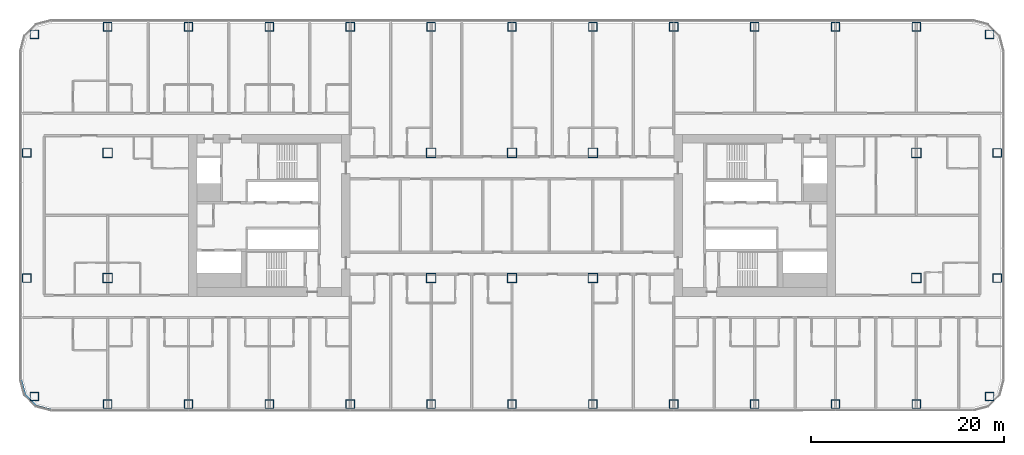
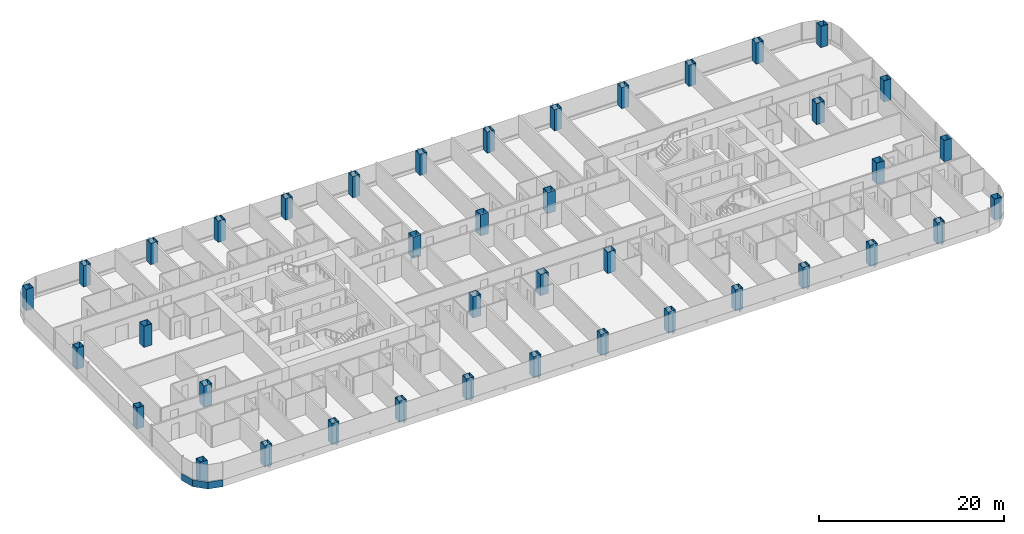
# One storey, part 1 of 29: 40 columns, 1 member, 1 element without a shape of its own.
"""IFC4 building model written with IfcOpenShell, lengths in metres."""

from ifc_helpers import new_model, si_unit, direction, frame, origin, origin_2d, place, context, subcontext, project, spatial, polyline, rectangle, hollow_rectangle, outline, extrude, material, layer, layer_set, material_profile, profile_set, type_object, element, aggregate, save


model = new_model("IFC4")

# Units and contexts
model_context = context("Model", 3, precision=1e-05, world=origin(), true_north=direction((0.0, 1.0)))
body_context = subcontext(model_context, "Body", "Model", "MODEL_VIEW")
ifc_project = project(units=[si_unit("LENGTHUNIT", "METRE"), si_unit("AREAUNIT", "SQUARE_METRE"), si_unit("VOLUMEUNIT", "CUBIC_METRE"), si_unit("PLANEANGLEUNIT", "RADIAN"), si_unit("MASSUNIT", "GRAM", prefix="KILO")], contexts=[model_context])

# Site, building, storey
site_placement = place(None, origin())
site = spatial("IfcSite", under=ifc_project, at=site_placement, CompositionType="ELEMENT")
building_placement = place(site_placement, origin())
building = spatial("IfcBuilding", under=site, at=building_placement, Name="Hakoniwa Tower and Hamabe Station Hall", CompositionType="ELEMENT")
storey_placement = place(building_placement, frame((0.0, 0.0, 23.0)))
storey = spatial("IfcBuildingStorey", under=building, at=storey_placement, Name="L05", CompositionType="ELEMENT", Elevation=23.0)

# Columns
ifc_material_1 = material(Name="Steel SN490C", Category="steel")
ifc_material_profile_1 = material_profile(ifc_material_1, hollow_rectangle(XDim=1.0, YDim=1.0, WallThickness=0.0400390625, at=origin_2d()), Name="BX-1000x1000x40")
ifc_profile_set_1 = profile_set([ifc_material_profile_1], Name="Steel SN490C")
column_type_1 = type_object("IfcColumnType", Name="COLUMN BX-1000x1000x40", PredefinedType="COLUMN", material=ifc_profile_set_1)
for number, where, z_axis, x_axis, name in (
    (1, (-42.0, -6.5, 0.0), (0.0, 0.0, 1.0), (1.0, 0.0, 0.0), "Column B1-2-C1"),
    (2, (-42.0, 6.5, 0.0), (0.0, 0.0, 1.0), (1.0, 0.0, 0.0), "Column B1-2-E1"),
    (3, (-8.39990234375, -6.5, 0.0), (0.0, 0.0, 1.0), (1.0, 0.0, 0.0), "Column B1-6-C1"),
    (4, (-8.39990234375, 6.5, 0.0), (0.0, 0.0, 1.0), (1.0, 0.0, 0.0), "Column B1-6-E1"),
    (5, (0.0, -6.5, 0.0), (0.0, 0.0, 1.0), (1.0, 0.0, 0.0), "Column B1-7-C1"),
    (6, (0.0, 6.5, 0.0), (0.0, 0.0, 1.0), (1.0, 0.0, 0.0), "Column B1-7-E1"),
    (7, (8.39990234375, -6.5, 0.0), (0.0, 0.0, 1.0), (1.0, 0.0, 0.0), "Column B1-8-C1"),
    (8, (8.39990234375, 6.5, 0.0), (0.0, 0.0, 1.0), (1.0, 0.0, 0.0), "Column B1-8-E1"),
    (9, (42.0, -6.5, 0.0), (0.0, 0.0, 1.0), (1.0, 0.0, 0.0), "Column B1-12-C1"),
    (10, (42.0, 6.5, 0.0), (0.0, 0.0, 1.0), (1.0, 0.0, 0.0), "Column B1-12-E1"),
):
    element("IfcColumn", number, at=place(storey_placement, frame(where, z_axis=z_axis, x_axis=x_axis)), inside=storey, type_object=column_type_1, Name=name, PredefinedType="COLUMN", context=body_context, shape_type="SweptSolid", body=[
        extrude(hollow_rectangle(XDim=1.0, YDim=1.0, WallThickness=0.0400390625, at=origin_2d()), origin(), (0.0, 0.0, 1.0), 2.800048828125),
    ])
ifc_material_2 = material(Name="Steel SN490C", Category="steel")
ifc_material_profile_2 = material_profile(ifc_material_2, hollow_rectangle(XDim=0.89990234375, YDim=0.89990234375, WallThickness=0.035888671875, at=origin_2d()), Name="BX-900x900x36")
ifc_profile_set_2 = profile_set([ifc_material_profile_2], Name="Steel SN490C")
column_type_2 = type_object("IfcColumnType", Name="COLUMN BX-900x900x36", PredefinedType="COLUMN", material=ifc_profile_set_2)
for number, where, z_axis, x_axis, name in (
    (11, (-49.60302734375, -18.802978515625, 0.0), (0.0, 0.0, 1.0), (1.0, 0.0, 0.0), "Column B1-1-A1"),
    (12, (-50.39990234375, -6.5, 0.0), (0.0, 0.0, 1.0), (1.0, 0.0, 0.0), "Column B1-1-C1"),
    (13, (-50.39990234375, 6.5, 0.0), (0.0, 0.0, 1.0), (1.0, 0.0, 0.0), "Column B1-1-E1"),
    (14, (-49.60302734375, 18.802978515625, 0.0), (0.0, 0.0, 1.0), (1.0, 0.0, 0.0), "Column B1-1-G1"),
    (15, (-42.0, -19.60009765625, 0.0), (0.0, 0.0, 1.0), (1.0, 0.0, 0.0), "Column B1-2-A1"),
    (16, (-42.0, 19.60009765625, 0.0), (0.0, 0.0, 1.0), (1.0, 0.0, 0.0), "Column B1-2-G1"),
    (17, (-33.60009765625, -19.60009765625, 0.0), (0.0, 0.0, 1.0), (1.0, 0.0, 0.0), "Column B1-3-A1"),
    (18, (-33.60009765625, 19.60009765625, 0.0), (0.0, 0.0, 1.0), (1.0, 0.0, 0.0), "Column B1-3-G1"),
    (19, (-25.199951171875, -19.60009765625, 0.0), (0.0, 0.0, 1.0), (1.0, 0.0, 0.0), "Column B1-4-A1"),
    (20, (-25.199951171875, 19.60009765625, 0.0), (0.0, 0.0, 1.0), (1.0, 0.0, 0.0), "Column B1-4-G1"),
    (21, (-16.800048828125, -19.60009765625, 0.0), (0.0, 0.0, 1.0), (1.0, 0.0, 0.0), "Column B1-5-A1"),
    (22, (-16.800048828125, 19.60009765625, 0.0), (0.0, 0.0, 1.0), (1.0, 0.0, 0.0), "Column B1-5-G1"),
    (23, (-8.39990234375, -19.60009765625, 0.0), (0.0, 0.0, 1.0), (1.0, 0.0, 0.0), "Column B1-6-A1"),
    (24, (-8.39990234375, 19.60009765625, 0.0), (0.0, 0.0, 1.0), (1.0, 0.0, 0.0), "Column B1-6-G1"),
    (25, (0.0, -19.60009765625, 0.0), (0.0, 0.0, 1.0), (1.0, 0.0, 0.0), "Column B1-7-A1"),
    (26, (0.0, 19.60009765625, 0.0), (0.0, 0.0, 1.0), (1.0, 0.0, 0.0), "Column B1-7-G1"),
    (27, (8.39990234375, -19.60009765625, 0.0), (0.0, 0.0, 1.0), (1.0, 0.0, 0.0), "Column B1-8-A1"),
    (28, (8.39990234375, 19.60009765625, 0.0), (0.0, 0.0, 1.0), (1.0, 0.0, 0.0), "Column B1-8-G1"),
    (29, (16.800048828125, -19.60009765625, 0.0), (0.0, 0.0, 1.0), (1.0, 0.0, 0.0), "Column B1-9-A1"),
    (30, (16.800048828125, 19.60009765625, 0.0), (0.0, 0.0, 1.0), (1.0, 0.0, 0.0), "Column B1-9-G1"),
    (31, (25.199951171875, -19.60009765625, 0.0), (0.0, 0.0, 1.0), (1.0, 0.0, 0.0), "Column B1-10-A1"),
    (32, (25.199951171875, 19.60009765625, 0.0), (0.0, 0.0, 1.0), (1.0, 0.0, 0.0), "Column B1-10-G1"),
    (33, (33.60009765625, -19.60009765625, 0.0), (0.0, 0.0, 1.0), (1.0, 0.0, 0.0), "Column B1-11-A1"),
    (34, (33.60009765625, 19.60009765625, 0.0), (0.0, 0.0, 1.0), (1.0, 0.0, 0.0), "Column B1-11-G1"),
    (35, (42.0, -19.60009765625, 0.0), (0.0, 0.0, 1.0), (1.0, 0.0, 0.0), "Column B1-12-A1"),
    (36, (42.0, 19.60009765625, 0.0), (0.0, 0.0, 1.0), (1.0, 0.0, 0.0), "Column B1-12-G1"),
    (37, (49.60302734375, -18.802978515625, 0.0), (0.0, 0.0, 1.0), (1.0, 0.0, 0.0), "Column B1-13-A1"),
    (38, (50.39990234375, -6.5, 0.0), (0.0, 0.0, 1.0), (1.0, 0.0, 0.0), "Column B1-13-C1"),
    (39, (50.39990234375, 6.5, 0.0), (0.0, 0.0, 1.0), (1.0, 0.0, 0.0), "Column B1-13-E1"),
    (40, (49.60302734375, 18.802978515625, 0.0), (0.0, 0.0, 1.0), (1.0, 0.0, 0.0), "Column B1-13-G1"),
):
    element("IfcColumn", number, at=place(storey_placement, frame(where, z_axis=z_axis, x_axis=x_axis)), inside=storey, type_object=column_type_2, Name=name, PredefinedType="COLUMN", context=body_context, shape_type="SweptSolid", body=[
        extrude(hollow_rectangle(XDim=0.89990234375, YDim=0.89990234375, WallThickness=0.035888671875, at=origin_2d()), origin(), (0.0, 0.0, 1.0), 2.800048828125),
    ])

# Curtain wall, member
ifc_material_3 = material(Name="Dark low-e laminated glass", Category="glass")
ifc_layer = layer(ifc_material_3, 0.199951171875)
ifc_layer_set = layer_set([ifc_layer], Name="CW-1 UNITISED GUEST")
curtain_wall_type = type_object("IfcCurtainWallType", Name="CW-1 UNITISED GUEST", PredefinedType="NOTDEFINED", material=ifc_layer_set)
curtain_wall_placement = place(storey_placement, origin())
curtain_wall = element("IfcCurtainWall", 41, at=curtain_wall_placement, inside=storey, type_object=curtain_wall_type, Name="CW-1 curtain wall", PredefinedType="NOTDEFINED")
ifc_material_4 = material(Name="Aluminium 6063-T5 black anodised", Category="aluminium")
ifc_material_profile_3 = material_profile(ifc_material_4, rectangle(XDim=0.199951171875, YDim=0.89990234375, at=origin_2d()), Name="CW SLAB-EDGE BAND 900X200")
ifc_profile_set_3 = profile_set([ifc_material_profile_3], Name="Aluminium 6063-T5 black anodised")
member_type = type_object("IfcMemberType", Name="CW SLAB-EDGE BAND 900X200", PredefinedType="USERDEFINED", material=ifc_profile_set_3)
member_placement = place(storey_placement, frame((0.0, 0.0, -0.550048828125)))
member = element("IfcMember", 42, at=member_placement, type_object=member_type, Name="CW-1 transom", ObjectType="TRANSOM", PredefinedType="USERDEFINED", context=body_context, shape_type="SweptSolid", body=[
    extrude(outline(polyline([(-51.10009765625, -17.03955078125), (-50.6669921875, -18.6552734375), (-49.455322265625, -19.866943359375), (-47.839599609375, -20.300048828125), (-47.787841796875, -20.10693359375), (-49.351806640625, -19.687744140625), (-50.48779296875, -18.5517578125), (-50.90673828125, -16.98779296875), (-51.10009765625, -17.03955078125)])), origin(), (0.0, 0.0, 1.0), 0.900146484375),
])
aggregate(curtain_wall, [member])

save(model, "model.ifc")
